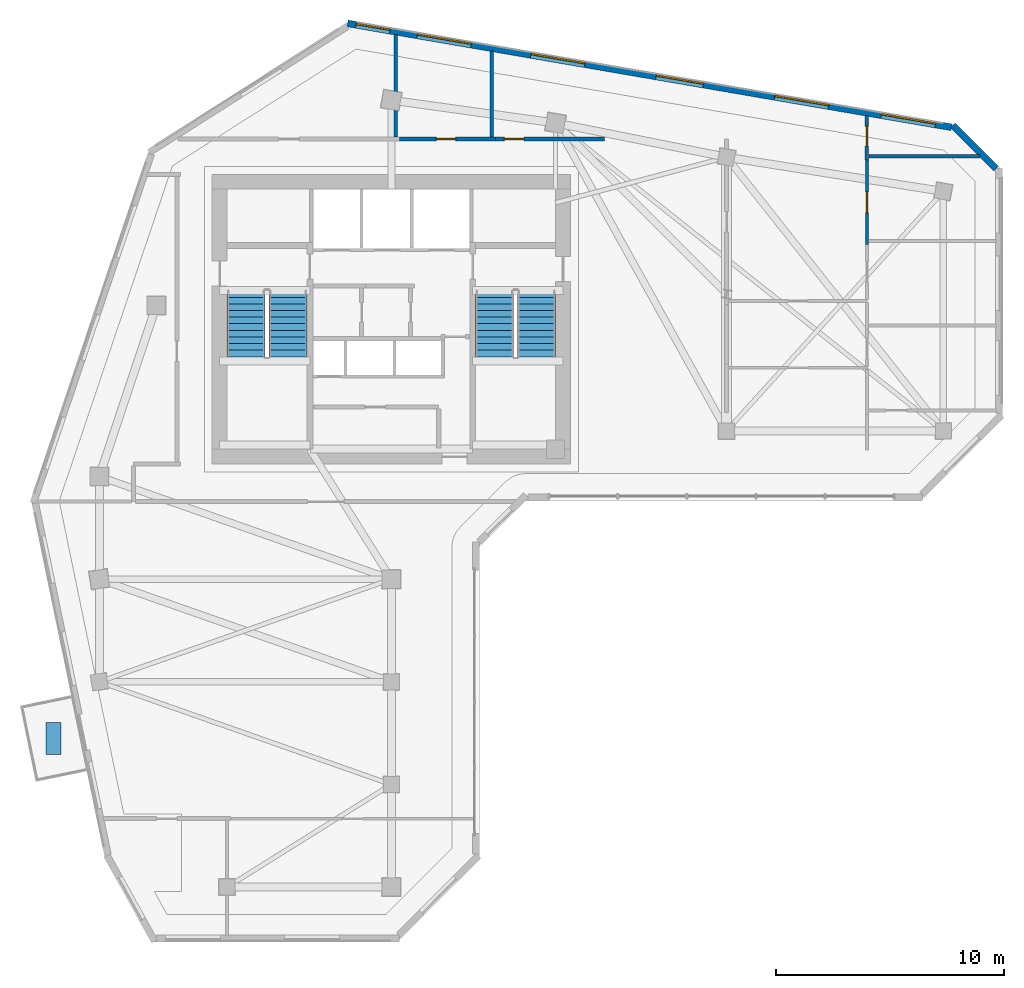
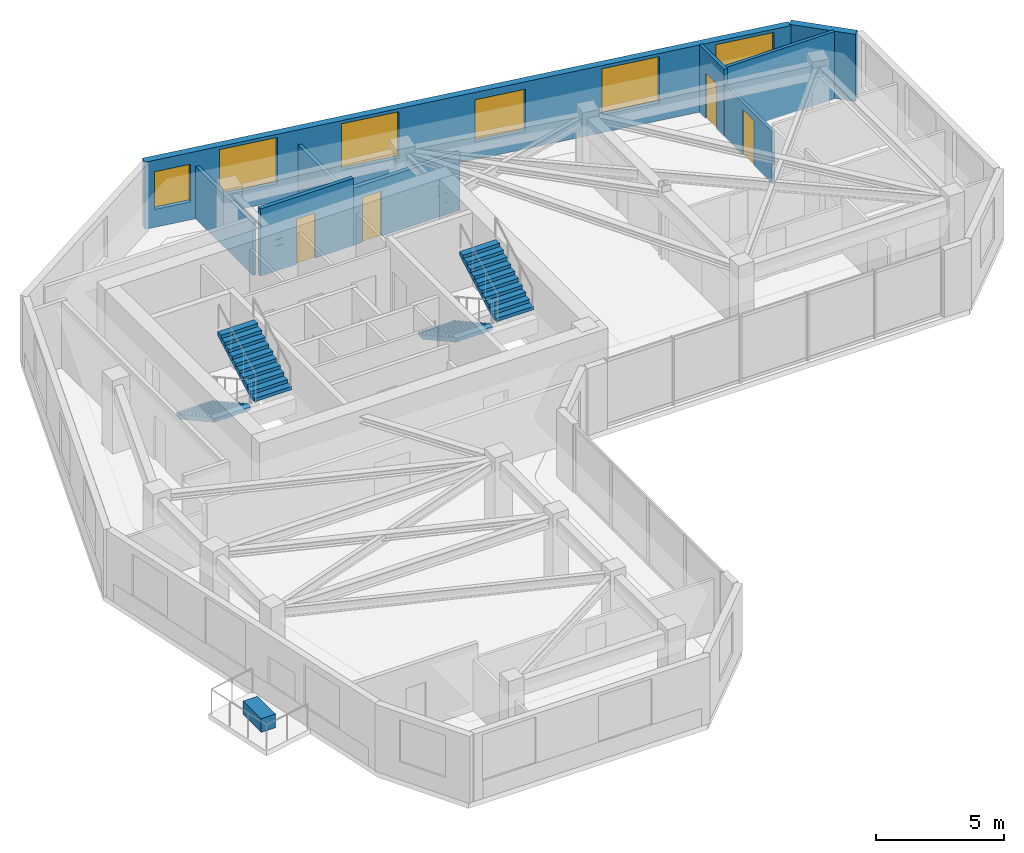
# One storey, part 7 of 10: 9 walls, 6 windows, 4 doors, 4 stair flights, 1 discrete accessory, 10 openings, 2 elements without a shape of their own.
"""IFC4 building model written with IfcOpenShell, lengths in metres."""

from ifc_helpers import new_model, si_unit, direction, frame, frame_2d, origin, origin_2d, place, context, subcontext, project, spatial, polyline, rectangle, outline, extrude, source, transform, mapped, material, layer, layer_set, type_object, element, fill, aggregate, save


model = new_model("IFC4")

# Units and contexts
model_context = context("Model", 3, precision=1e-05, world=origin(), true_north=direction((0.0, 1.0)))
body_context = subcontext(model_context, "Body", "Model", "MODEL_VIEW")
ifc_project = project(units=[si_unit("LENGTHUNIT", "METRE"), si_unit("AREAUNIT", "SQUARE_METRE"), si_unit("VOLUMEUNIT", "CUBIC_METRE"), si_unit("PLANEANGLEUNIT", "RADIAN"), si_unit("MASSUNIT", "GRAM", prefix="KILO")], contexts=[model_context])

# Site, building, storey
site_placement = place(None, origin())
site = spatial("IfcSite", under=ifc_project, at=site_placement, CompositionType="ELEMENT")
building_placement = place(site_placement, origin())
building = spatial("IfcBuilding", under=site, at=building_placement, Name="Calvemar Wedge Station Tower", CompositionType="ELEMENT")
storey_placement = place(building_placement, frame((0.0, 0.0, 207.89990234375)))
storey = spatial("IfcBuildingStorey", under=building, at=storey_placement, Name="L52", CompositionType="ELEMENT", Elevation=207.89990234375)

# Wall, opening, door
ifc_material_1 = material(Name="Double-stud fire-rated corridor partition")
ifc_layer_1 = layer(ifc_material_1, 0.179931640625)
ifc_layer_set_1 = layer_set([ifc_layer_1], Name="Double-stud fire-rated corridor partition")
wall_type_1 = type_object("IfcWallType", Name="W-CORR-180", PredefinedType="PARTITIONING", material=ifc_layer_set_1)
wall_1_placement = place(storey_placement, frame((24.162109375, 47.800048828125, 0.0), z_axis=(0.0, 0.0, 1.0), x_axis=(1.0, 0.0, 0.0)))
wall_1 = element("IfcWall", 1, at=wall_1_placement, inside=storey, type_object=wall_type_1, Name="Storey L52 Interior Partition WL-L52-014", PredefinedType="PARTITIONING", context=body_context, shape_type="SweptSolid", body=[
    extrude(rectangle(XDim=4.197998046875, YDim=0.179931640625, at=frame_2d((2.09912109375, 0.0))), origin(), (0.0, 0.0, 1.0), 3.2001953125),
])
shared_shape_1 = source(origin(), body_context, "Body", "SweptSolid", [
    extrude(rectangle(XDim=0.85009765625, YDim=2.14990234375, at=frame_2d((0.425048828125, 1.074951171875))), frame((0.0, 0.10009765625, 0.0), z_axis=(0.0, -1.0, 0.0), x_axis=(1.0, 0.0, 0.0)), (0.0, 0.0, 1.0), 0.199951171875),
])
opening_1_placement = place(wall_1_placement, frame((1.61328125, 0.0, 0.0)))
opening_1 = element("IfcOpeningElement", 2, at=opening_1_placement, cuts=wall_1, Name="Opening D-02", PredefinedType="OPENING", context=body_context, shape_type="MappedRepresentation", body=[
    mapped(shared_shape_1, transform((0.0, 0.0, 0.0), scale=1.0)),
])
ifc_material_2 = material(Name="Moisture-sealed bathroom hardwood swing door", Category="wood")
door_type_1 = type_object("IfcDoorType", Name="DR-WET-850", OperationType="NOTDEFINED", PredefinedType="DOOR", material=ifc_material_2)
shared_shape_2 = source(origin(), body_context, "Body", "SweptSolid", [
    extrude(rectangle(XDim=0.85009765625, YDim=2.14990234375, at=frame_2d((0.425048828125, 1.074951171875))), frame((0.0, 0.02490234375, 0.0), z_axis=(0.0, -1.0, 0.0), x_axis=(1.0, 0.0, 0.0)), (0.0, 0.0, 1.0), 0.050048828125),
])
door_1_placement = place(opening_1_placement, origin())
door_1 = element("IfcDoor", 3, at=door_1_placement, inside=storey, type_object=door_type_1, Name="L52 Accessible WC Door", OperationType="SINGLE_SWING_RIGHT", OverallHeight=2.14990234375, OverallWidth=0.85009765625, PredefinedType="DOOR", context=body_context, shape_type="MappedRepresentation", body=[
    mapped(shared_shape_2, transform((0.0, 0.0, 0.0), scale=1.0)),
])
fill(opening_1, door_1)

wall_2_placement = place(storey_placement, frame((28.362060546875, 47.800048828125, 0.0), z_axis=(0.0, 0.0, 1.0), x_axis=(1.0, 0.0, 0.0)))
wall_2 = element("IfcWall", 4, at=wall_2_placement, inside=storey, type_object=wall_type_1, Name="Storey L52 Interior Partition WL-L52-015", PredefinedType="PARTITIONING", context=body_context, shape_type="SweptSolid", body=[
    extrude(rectangle(XDim=4.787841796875, YDim=0.179931640625, at=frame_2d((2.39404296875, 0.0))), origin(), (0.0, 0.0, 1.0), 2.72900390625),
])
opening_2_placement = place(wall_2_placement, frame((0.400634765625, 0.0, 0.0)))
opening_2 = element("IfcOpeningElement", 5, at=opening_2_placement, cuts=wall_2, Name="Opening D-02", PredefinedType="OPENING", context=body_context, shape_type="MappedRepresentation", body=[
    mapped(shared_shape_1, transform((0.0, 0.0, 0.0), scale=1.0)),
])
door_2_placement = place(opening_2_placement, origin())
door_2 = element("IfcDoor", 6, at=door_2_placement, inside=storey, type_object=door_type_1, Name="L52 Storage Room Door", OperationType="SINGLE_SWING_LEFT", OverallHeight=2.14990234375, OverallWidth=0.85009765625, PredefinedType="DOOR", context=body_context, shape_type="MappedRepresentation", body=[
    mapped(shared_shape_2, transform((0.0, 0.0, 0.0), scale=1.0)),
])
fill(opening_2, door_2)

# Wall
ifc_material_3 = material(Name="Precast concrete C45", Category="concrete")
ifc_layer_2 = layer(ifc_material_3, 0.300048828125)
ifc_layer_set_2 = layer_set([ifc_layer_2], Name="Precast concrete C45")
wall_type_2 = type_object("IfcWallType", Name="W-EXT-GFRC-300", PredefinedType="SOLIDWALL", material=ifc_layer_set_2)
wall_3_placement = place(storey_placement, frame((50.31201171875, 46.5, 0.0), z_axis=(0.0, 0.0, 1.0), x_axis=(-0.707106781187, 0.707106781187, 0.0)))
element("IfcWall", 7, at=wall_3_placement, inside=storey, type_object=wall_type_2, Name="Storey L52 Bronze GFRC Exterior Wall 9", PredefinedType="SOLIDWALL", context=body_context, shape_type="SweptSolid", body=[
    extrude(rectangle(XDim=2.67333984375, YDim=0.300048828125, at=frame_2d((1.336669921875, 0.0))), origin(), (0.0, 0.0, 1.0), 3.2001953125),
])

# Wall, openings, windows
wall_4_placement = place(storey_placement, frame((48.361083984375, 48.31298828125, 0.0), z_axis=(0.0, 0.0, 1.0), x_axis=(-0.985523113069, 0.169541126597, 0.0)))
wall_4 = element("IfcWall", 8, at=wall_4_placement, inside=storey, type_object=wall_type_2, Name="Storey L52 Bronze GFRC Exterior Wall 10", PredefinedType="SOLIDWALL", context=body_context, shape_type="SweptSolid", body=[
    extrude(rectangle(XDim=26.8662109375, YDim=0.300048828125, at=frame_2d((13.43310546875, 0.0))), origin(), (0.0, 0.0, 1.0), 3.2001953125),
])
shared_shape_3 = source(origin(), body_context, "Body", "SweptSolid", [
    extrude(rectangle(XDim=2.39990234375, YDim=2.199951171875, at=frame_2d((1.199951171875, 1.10009765625))), frame((0.0, 0.16015625, 0.0), z_axis=(0.0, -1.0, 0.0), x_axis=(1.0, 0.0, 0.0)), (0.0, 0.0, 1.0), 0.320068359375),
])
opening_3_placement = place(wall_4_placement, frame((0.720947265625, 0.0, 0.85009765625)))
opening_3 = element("IfcOpeningElement", 9, at=opening_3_placement, cuts=wall_4, Name="Opening W1", PredefinedType="OPENING", context=body_context, shape_type="MappedRepresentation", body=[
    mapped(shared_shape_3, transform((0.0, 0.0, 0.0), scale=1.0)),
])
opening_4_placement = place(wall_4_placement, frame((5.470947265625, 0.0, 0.85009765625)))
opening_4 = element("IfcOpeningElement", 10, at=opening_4_placement, cuts=wall_4, Name="Opening W1", PredefinedType="OPENING", context=body_context, shape_type="MappedRepresentation", body=[
    mapped(shared_shape_3, transform((0.0, 0.0, 0.0), scale=1.0)),
])
shared_shape_4 = source(origin(), body_context, "Body", "SweptSolid", [
    extrude(rectangle(XDim=2.10009765625, YDim=2.0, at=frame_2d((1.050048828125, 1.0))), frame((0.0, 0.16015625, 0.0), z_axis=(0.0, -1.0, 0.0), x_axis=(1.0, 0.0, 0.0)), (0.0, 0.0, 1.0), 0.320068359375),
])
opening_5_placement = place(wall_4_placement, frame((11.0400390625, 0.0, 0.85009765625)))
opening_5 = element("IfcOpeningElement", 11, at=opening_5_placement, cuts=wall_4, Name="Opening W4", PredefinedType="OPENING", context=body_context, shape_type="MappedRepresentation", body=[
    mapped(shared_shape_4, transform((0.0, 0.0, 0.0), scale=1.0)),
])
opening_6_placement = place(wall_4_placement, frame((16.30810546875, 0.0, 0.85009765625)))
opening_6 = element("IfcOpeningElement", 12, at=opening_6_placement, cuts=wall_4, Name="Opening W1", PredefinedType="OPENING", context=body_context, shape_type="MappedRepresentation", body=[
    mapped(shared_shape_3, transform((0.0, 0.0, 0.0), scale=1.0)),
])
opening_7_placement = place(wall_4_placement, frame((21.367919921875, 0.0, 0.85009765625)))
opening_7 = element("IfcOpeningElement", 13, at=opening_7_placement, cuts=wall_4, Name="Opening W1", PredefinedType="OPENING", context=body_context, shape_type="MappedRepresentation", body=[
    mapped(shared_shape_3, transform((0.0, 0.0, 0.0), scale=1.0)),
])
shared_shape_5 = source(origin(), body_context, "Body", "SweptSolid", [
    extrude(rectangle(XDim=1.5, YDim=1.800048828125, at=frame_2d((0.75, 0.89990234375))), frame((0.0, 0.16015625, 0.0), z_axis=(0.0, -1.0, 0.0), x_axis=(1.0, 0.0, 0.0)), (0.0, 0.0, 1.0), 0.320068359375),
])
opening_8_placement = place(wall_4_placement, frame((24.98291015625, 0.0, 0.85009765625)))
opening_8 = element("IfcOpeningElement", 14, at=opening_8_placement, cuts=wall_4, Name="Opening W3", PredefinedType="OPENING", context=body_context, shape_type="MappedRepresentation", body=[
    mapped(shared_shape_5, transform((0.0, 0.0, 0.0), scale=1.0)),
])
ifc_material_4 = material(Name="Low-E laminated insulated glass", Category="glass")
window_type_1 = type_object("IfcWindowType", Name="WIN-EXT-4", PartitioningType="SINGLE_PANEL", PredefinedType="WINDOW", material=ifc_material_4)
shared_shape_6 = source(origin(), body_context, "Body", "SweptSolid", [
    extrude(rectangle(XDim=2.10009765625, YDim=2.0, at=frame_2d((1.050048828125, 1.0))), frame((0.0, -0.014892578125, 0.0), z_axis=(0.0, -1.0, 0.0), x_axis=(1.0, 0.0, 0.0)), (0.0, 0.0, 1.0), 0.06005859375),
])
window_1_placement = place(opening_5_placement, origin())
window_1 = element("IfcWindow", 15, at=window_1_placement, inside=storey, type_object=window_type_1, Name="Storey L52 Recessed Window 10.3", OverallHeight=2.0, OverallWidth=2.10009765625, PartitioningType="SINGLE_PANEL", PredefinedType="WINDOW", context=body_context, shape_type="MappedRepresentation", body=[
    mapped(shared_shape_6, transform((0.0, 0.0, 0.0), scale=1.0)),
])
fill(opening_5, window_1)
window_type_2 = type_object("IfcWindowType", Name="WIN-EXT-1", PartitioningType="SINGLE_PANEL", PredefinedType="WINDOW", material=ifc_material_4)
shared_shape_7 = source(origin(), body_context, "Body", "SweptSolid", [
    extrude(rectangle(XDim=2.39990234375, YDim=2.199951171875, at=frame_2d((1.199951171875, 1.10009765625))), frame((0.0, -0.014892578125, 0.0), z_axis=(0.0, -1.0, 0.0), x_axis=(1.0, 0.0, 0.0)), (0.0, 0.0, 1.0), 0.06005859375),
])
window_2_placement = place(opening_3_placement, origin())
window_2 = element("IfcWindow", 16, at=window_2_placement, inside=storey, type_object=window_type_2, Name="Storey L52 Recessed Window 10.1", OverallHeight=2.199951171875, OverallWidth=2.39990234375, PartitioningType="SINGLE_PANEL", PredefinedType="WINDOW", context=body_context, shape_type="MappedRepresentation", body=[
    mapped(shared_shape_7, transform((0.0, 0.0, 0.0), scale=1.0)),
])
fill(opening_3, window_2)
window_3_placement = place(opening_4_placement, origin())
window_3 = element("IfcWindow", 17, at=window_3_placement, inside=storey, type_object=window_type_2, Name="Storey L52 Recessed Window 10.2", OverallHeight=2.199951171875, OverallWidth=2.39990234375, PartitioningType="SINGLE_PANEL", PredefinedType="WINDOW", context=body_context, shape_type="MappedRepresentation", body=[
    mapped(shared_shape_7, transform((0.0, 0.0, 0.0), scale=1.0)),
])
fill(opening_4, window_3)
window_4_placement = place(opening_6_placement, origin())
window_4 = element("IfcWindow", 18, at=window_4_placement, inside=storey, type_object=window_type_2, Name="Storey L52 Recessed Window 10.4", OverallHeight=2.199951171875, OverallWidth=2.39990234375, PartitioningType="SINGLE_PANEL", PredefinedType="WINDOW", context=body_context, shape_type="MappedRepresentation", body=[
    mapped(shared_shape_7, transform((0.0, 0.0, 0.0), scale=1.0)),
])
fill(opening_6, window_4)
window_5_placement = place(opening_7_placement, origin())
window_5 = element("IfcWindow", 19, at=window_5_placement, inside=storey, type_object=window_type_2, Name="Storey L52 Recessed Window 10.5", OverallHeight=2.199951171875, OverallWidth=2.39990234375, PartitioningType="SINGLE_PANEL", PredefinedType="WINDOW", context=body_context, shape_type="MappedRepresentation", body=[
    mapped(shared_shape_7, transform((0.0, 0.0, 0.0), scale=1.0)),
])
fill(opening_7, window_5)
window_type_3 = type_object("IfcWindowType", Name="WIN-EXT-3", PartitioningType="SINGLE_PANEL", PredefinedType="WINDOW", material=ifc_material_4)
shared_shape_8 = source(origin(), body_context, "Body", "SweptSolid", [
    extrude(rectangle(XDim=1.5, YDim=1.800048828125, at=frame_2d((0.75, 0.89990234375))), frame((0.0, -0.014892578125, 0.0), z_axis=(0.0, -1.0, 0.0), x_axis=(1.0, 0.0, 0.0)), (0.0, 0.0, 1.0), 0.06005859375),
])
window_6_placement = place(opening_8_placement, origin())
window_6 = element("IfcWindow", 20, at=window_6_placement, inside=storey, type_object=window_type_3, Name="Storey L52 Recessed Window 10.6", OverallHeight=1.800048828125, OverallWidth=1.5, PartitioningType="SINGLE_PANEL", PredefinedType="WINDOW", context=body_context, shape_type="MappedRepresentation", body=[
    mapped(shared_shape_8, transform((0.0, 0.0, 0.0), scale=1.0)),
])
fill(opening_8, window_6)

# Wall, opening, door
ifc_material_5 = material(Name="Insulated acoustic gypsum stud partition")
ifc_layer_3 = layer(ifc_material_5, 0.125)
ifc_layer_set_3 = layer_set([ifc_layer_3], Name="Insulated acoustic gypsum stud partition")
wall_type_3 = type_object("IfcWallType", Name="W-PART-125", PredefinedType="PARTITIONING", material=ifc_layer_set_3)
wall_5_placement = place(storey_placement, frame((44.654052734375, 46.881103515625, 0.0), z_axis=(0.0, 0.0, 1.0), x_axis=(0.0, -1.0, 0.0)))
wall_5 = element("IfcWall", 21, at=wall_5_placement, inside=storey, type_object=wall_type_3, Name="Storey L52 Interior Partition WL-L52-027", PredefinedType="PARTITIONING", context=body_context, shape_type="SweptSolid", body=[
    extrude(rectangle(XDim=3.712158203125, YDim=0.125, at=frame_2d((1.85595703125, 0.0))), origin(), (0.0, 0.0, 1.0), 2.4921875),
])
shared_shape_9 = source(origin(), body_context, "Body", "SweptSolid", [
    extrude(rectangle(XDim=0.89990234375, YDim=2.14990234375, at=frame_2d((0.449951171875, 1.074951171875))), frame((0.0, 0.072509765625, 0.0), z_axis=(0.0, -1.0, 0.0), x_axis=(1.0, 0.0, 0.0)), (0.0, 0.0, 1.0), 0.14501953125),
])
opening_9_placement = place(wall_5_placement, frame((1.406005859375, 0.0, 0.0)))
opening_9 = element("IfcOpeningElement", 22, at=opening_9_placement, cuts=wall_5, Name="Opening D-01", PredefinedType="OPENING", context=body_context, shape_type="MappedRepresentation", body=[
    mapped(shared_shape_9, transform((0.0, 0.0, 0.0), scale=1.0)),
])
ifc_material_6 = material(Name="Architectural hardwood acoustic swing door", Category="wood")
door_type_2 = type_object("IfcDoorType", Name="DR-INT-900", OperationType="NOTDEFINED", PredefinedType="DOOR", material=ifc_material_6)
shared_shape_10 = source(origin(), body_context, "Body", "SweptSolid", [
    extrude(rectangle(XDim=0.89990234375, YDim=2.14990234375, at=frame_2d((0.449951171875, 1.074951171875))), frame((0.0, 0.02490234375, 0.0), z_axis=(0.0, -1.0, 0.0), x_axis=(1.0, 0.0, 0.0)), (0.0, 0.0, 1.0), 0.050048828125),
])
door_3_placement = place(opening_9_placement, origin())
door_3 = element("IfcDoor", 23, at=door_3_placement, inside=storey, type_object=door_type_2, Name="L52 Master Bedroom Door", OperationType="SINGLE_SWING_RIGHT", OverallHeight=2.14990234375, OverallWidth=0.89990234375, PredefinedType="DOOR", context=body_context, shape_type="MappedRepresentation", body=[
    mapped(shared_shape_10, transform((0.0, 0.0, 0.0), scale=1.0)),
])
fill(opening_9, door_3)

# Walls
ifc_material_7 = material(Name="Moisture-resistant acoustic bathroom partition")
ifc_layer_4 = layer(ifc_material_7, 0.14990234375)
ifc_layer_set_4 = layer_set([ifc_layer_4], Name="Moisture-resistant acoustic bathroom partition")
wall_type_4 = type_object("IfcWallType", Name="W-WET-150", PredefinedType="PARTITIONING", material=ifc_layer_set_4)
wall_6_placement = place(storey_placement, frame((24.0, 52.386962890625, 0.0), z_axis=(0.0, 0.0, 1.0), x_axis=(0.0, -1.0, 0.0)))
element("IfcWall", 24, at=wall_6_placement, inside=storey, type_object=wall_type_4, Name="Storey L52 Interior Partition WL-L52-017", PredefinedType="PARTITIONING", context=body_context, shape_type="SweptSolid", body=[
    extrude(rectangle(XDim=4.492919921875, YDim=0.14990234375, at=frame_2d((2.24658203125, 0.0))), origin(), (0.0, 0.0, 1.0), 2.4921875),
])
wall_7_placement = place(storey_placement, frame((28.199951171875, 51.66455078125, 0.0), z_axis=(0.0, 0.0, 1.0), x_axis=(0.0, -1.0, 0.0)))
element("IfcWall", 25, at=wall_7_placement, inside=storey, type_object=wall_type_4, Name="Storey L52 Interior Partition WL-L52-018", PredefinedType="PARTITIONING", context=body_context, shape_type="SweptSolid", body=[
    extrude(rectangle(XDim=3.7705078125, YDim=0.14990234375, at=frame_2d((1.88525390625, 0.0))), origin(), (0.0, 0.0, 1.0), 2.4921875),
])

# Wall, opening, door
wall_8_placement = place(storey_placement, frame((44.654052734375, 48.833984375, 0.0), z_axis=(0.0, 0.0, 1.0), x_axis=(0.0, -1.0, 0.0)))
wall_8 = element("IfcWall", 26, at=wall_8_placement, inside=storey, type_object=wall_type_4, Name="Storey L52 Interior Partition WL-L52-026", PredefinedType="PARTITIONING", context=body_context, shape_type="SweptSolid", body=[
    extrude(rectangle(XDim=1.950927734375, YDim=0.14990234375, at=frame_2d((0.9755859375, 0.0))), origin(), (0.0, 0.0, 1.0), 3.2001953125),
])
shared_shape_11 = source(origin(), body_context, "Body", "SweptSolid", [
    extrude(rectangle(XDim=0.85009765625, YDim=2.14990234375, at=frame_2d((0.425048828125, 1.074951171875))), frame((0.0, 0.0849609375, 0.0), z_axis=(0.0, -1.0, 0.0), x_axis=(1.0, 0.0, 0.0)), (0.0, 0.0, 1.0), 0.169921875),
])
opening_10_placement = place(wall_8_placement, frame((0.48291015625, 0.0, 0.0)))
opening_10 = element("IfcOpeningElement", 27, at=opening_10_placement, cuts=wall_8, Name="Opening D-02", PredefinedType="OPENING", context=body_context, shape_type="MappedRepresentation", body=[
    mapped(shared_shape_11, transform((0.0, 0.0, 0.0), scale=1.0)),
])
door_4_placement = place(opening_10_placement, origin())
door_4 = element("IfcDoor", 28, at=door_4_placement, inside=storey, type_object=door_type_1, Name="L52 Bathroom Door", OperationType="SINGLE_SWING_LEFT", OverallHeight=2.14990234375, OverallWidth=0.85009765625, PredefinedType="DOOR", context=body_context, shape_type="MappedRepresentation", body=[
    mapped(shared_shape_2, transform((0.0, 0.0, 0.0), scale=1.0)),
])
fill(opening_10, door_4)

# Wall
wall_9_placement = place(storey_placement, frame((49.606201171875, 47.04296875, 0.0), z_axis=(0.0, 0.0, 1.0), x_axis=(-1.0, 0.0, 0.0)))
element("IfcWall", 29, at=wall_9_placement, inside=storey, type_object=wall_type_4, Name="Storey L52 Interior Partition WL-L52-031", PredefinedType="PARTITIONING", context=body_context, shape_type="SweptSolid", body=[
    extrude(rectangle(XDim=4.873291015625, YDim=0.14990234375, at=frame_2d((2.4365234375, 0.0))), origin(), (0.0, 0.0, 1.0), 3.2001953125),
])

# Stair, stair flights
ifc_material_8 = material(Name="Concrete C45", Category="concrete")
stair_type = type_object("IfcStairType", Name="ST-TYPE-3500", PredefinedType="HALF_TURN_STAIR", material=ifc_material_8)
stair_1_placement = place(storey_placement, origin())
stair_1 = element("IfcStair", 30, at=stair_1_placement, inside=storey, type_object=stair_type, Name="L52 Pressurized Core Exit Stair ST-C1", PredefinedType="HALF_TURN_STAIR")
stair_flight_type = type_object("IfcStairFlightType", Name="STF-TYPE-3500", PredefinedType="STRAIGHT", material=ifc_material_8)
stair_flight_1_placement = place(storey_placement, frame((17.429931640625, 41.14990234375, 0.0), z_axis=(0.0, 0.0, 1.0), x_axis=(0.0, -1.0, 0.0)))
stair_flight_1 = element("IfcStairFlight", 31, at=stair_flight_1_placement, type_object=stair_flight_type, Name="ST-C1 flight 1", NumberOfRisers=11, NumberOfTreads=10, PredefinedType="STRAIGHT", RiserHeight=0.159090909, TreadLength=0.29, context=body_context, shape_type="SweptSolid", body=[
    extrude(outline(polyline([(0.0, 0.0), (0.0, 0.1591796875), (0.2900390625, 0.1591796875), (0.2900390625, 0.318115234375), (0.580078125, 0.318115234375), (0.580078125, 0.477294921875), (0.8701171875, 0.477294921875), (0.8701171875, 0.636474609375), (1.159912109375, 0.636474609375), (1.159912109375, 0.79541015625), (1.449951171875, 0.79541015625), (1.449951171875, 0.95458984375), (1.739990234375, 0.95458984375), (1.739990234375, 1.113525390625), (2.030029296875, 1.113525390625), (2.030029296875, 1.272705078125), (2.320068359375, 1.272705078125), (2.320068359375, 1.431884765625), (2.610107421875, 1.431884765625), (2.610107421875, 1.5908203125), (2.89990234375, 1.5908203125), (2.89990234375, 1.75), (2.89990234375, 1.419921875), (0.311767578125, 0.0), (0.0, 0.0)])), frame((0.0, 0.830078125, 0.0), z_axis=(0.0, -1.0, 0.0), x_axis=(1.0, 0.0, 0.0)), (0.0, 0.0, 1.0), 1.659912109375),
])
stair_flight_2_placement = place(storey_placement, frame((19.27001953125, 38.25, 1.75), z_axis=(0.0, 0.0, 1.0), x_axis=(0.0, 1.0, 0.0)))
stair_flight_2 = element("IfcStairFlight", 32, at=stair_flight_2_placement, type_object=stair_flight_type, Name="ST-C1 flight 2", NumberOfRisers=11, NumberOfTreads=10, PredefinedType="STRAIGHT", RiserHeight=0.159090909, TreadLength=0.29, context=body_context, shape_type="SweptSolid", body=[
    extrude(outline(polyline([(0.0, 0.0), (0.0, 0.1591796875), (0.2900390625, 0.1591796875), (0.2900390625, 0.318115234375), (0.580078125, 0.318115234375), (0.580078125, 0.477294921875), (0.8701171875, 0.477294921875), (0.8701171875, 0.636474609375), (1.159912109375, 0.636474609375), (1.159912109375, 0.79541015625), (1.449951171875, 0.79541015625), (1.449951171875, 0.95458984375), (1.739990234375, 0.95458984375), (1.739990234375, 1.113525390625), (2.030029296875, 1.113525390625), (2.030029296875, 1.272705078125), (2.320068359375, 1.272705078125), (2.320068359375, 1.431884765625), (2.610107421875, 1.431884765625), (2.610107421875, 1.5908203125), (2.89990234375, 1.5908203125), (2.89990234375, 1.75), (2.89990234375, 1.419921875), (0.311767578125, 0.0), (0.0, 0.0)])), frame((0.0, 0.830078125, 0.0), z_axis=(0.0, -1.0, 0.0), x_axis=(1.0, 0.0, 0.0)), (0.0, 0.0, 1.0), 1.659912109375),
])
aggregate(stair_1, [stair_flight_1, stair_flight_2])

stair_2_placement = place(storey_placement, origin())
stair_2 = element("IfcStair", 33, at=stair_2_placement, inside=storey, type_object=stair_type, Name="L52 Pressurized Core Exit Stair ST-C2", PredefinedType="HALF_TURN_STAIR")
stair_flight_3_placement = place(storey_placement, frame((28.330078125, 41.14990234375, 0.0), z_axis=(0.0, 0.0, 1.0), x_axis=(0.0, -1.0, 0.0)))
stair_flight_3 = element("IfcStairFlight", 34, at=stair_flight_3_placement, type_object=stair_flight_type, Name="ST-C2 flight 1", NumberOfRisers=11, NumberOfTreads=10, PredefinedType="STRAIGHT", RiserHeight=0.159090909, TreadLength=0.29, context=body_context, shape_type="SweptSolid", body=[
    extrude(outline(polyline([(0.0, 0.0), (0.0, 0.1591796875), (0.2900390625, 0.1591796875), (0.2900390625, 0.318115234375), (0.580078125, 0.318115234375), (0.580078125, 0.477294921875), (0.8701171875, 0.477294921875), (0.8701171875, 0.636474609375), (1.159912109375, 0.636474609375), (1.159912109375, 0.79541015625), (1.449951171875, 0.79541015625), (1.449951171875, 0.95458984375), (1.739990234375, 0.95458984375), (1.739990234375, 1.113525390625), (2.030029296875, 1.113525390625), (2.030029296875, 1.272705078125), (2.320068359375, 1.272705078125), (2.320068359375, 1.431884765625), (2.610107421875, 1.431884765625), (2.610107421875, 1.5908203125), (2.89990234375, 1.5908203125), (2.89990234375, 1.75), (2.89990234375, 1.419921875), (0.311767578125, 0.0), (0.0, 0.0)])), frame((0.0, 0.830078125, 0.0), z_axis=(0.0, -1.0, 0.0), x_axis=(1.0, 0.0, 0.0)), (0.0, 0.0, 1.0), 1.659912109375),
])
stair_flight_4_placement = place(storey_placement, frame((30.169921875, 38.25, 1.75), z_axis=(0.0, 0.0, 1.0), x_axis=(0.0, 1.0, 0.0)))
stair_flight_4 = element("IfcStairFlight", 35, at=stair_flight_4_placement, type_object=stair_flight_type, Name="ST-C2 flight 2", NumberOfRisers=11, NumberOfTreads=10, PredefinedType="STRAIGHT", RiserHeight=0.159090909, TreadLength=0.29, context=body_context, shape_type="SweptSolid", body=[
    extrude(outline(polyline([(0.0, 0.0), (0.0, 0.1591796875), (0.2900390625, 0.1591796875), (0.2900390625, 0.318115234375), (0.580078125, 0.318115234375), (0.580078125, 0.477294921875), (0.8701171875, 0.477294921875), (0.8701171875, 0.636474609375), (1.159912109375, 0.636474609375), (1.159912109375, 0.79541015625), (1.449951171875, 0.79541015625), (1.449951171875, 0.95458984375), (1.739990234375, 0.95458984375), (1.739990234375, 1.113525390625), (2.030029296875, 1.113525390625), (2.030029296875, 1.272705078125), (2.320068359375, 1.272705078125), (2.320068359375, 1.431884765625), (2.610107421875, 1.431884765625), (2.610107421875, 1.5908203125), (2.89990234375, 1.5908203125), (2.89990234375, 1.75), (2.89990234375, 1.419921875), (0.311767578125, 0.0), (0.0, 0.0)])), frame((0.0, 0.830078125, 0.0), z_axis=(0.0, -1.0, 0.0), x_axis=(1.0, 0.0, 0.0)), (0.0, 0.0, 1.0), 1.659912109375),
])
aggregate(stair_2, [stair_flight_3, stair_flight_4])

# Discrete accessory
discrete_accessory_type = type_object("IfcDiscreteAccessoryType", Name="ACC-PLANTER", PredefinedType="USERDEFINED", material=ifc_material_3)
shared_shape_12 = source(origin(), body_context, "Body", "SweptSolid", [
    extrude(rectangle(XDim=0.64990234375, YDim=1.39990234375, at=origin_2d()), origin(), (0.0, 0.0, 1.0), 0.64990234375),
])
discrete_accessory_placement = place(storey_placement, frame((8.991943359375, 21.51708984375, 0.000244140625), z_axis=(0.0, 0.0, 1.0), x_axis=(1.0, 0.0, 0.0)))
element("IfcDiscreteAccessory", 36, at=discrete_accessory_placement, inside=storey, type_object=discrete_accessory_type, Name="Storey L52 Planted Terrace GFRC Planter", ObjectType="PLANTER", PredefinedType="USERDEFINED", context=body_context, shape_type="MappedRepresentation", body=[
    mapped(shared_shape_12, transform((0.0, 0.0, 0.0), scale=1.0)),
])

save(model, "model.ifc")
